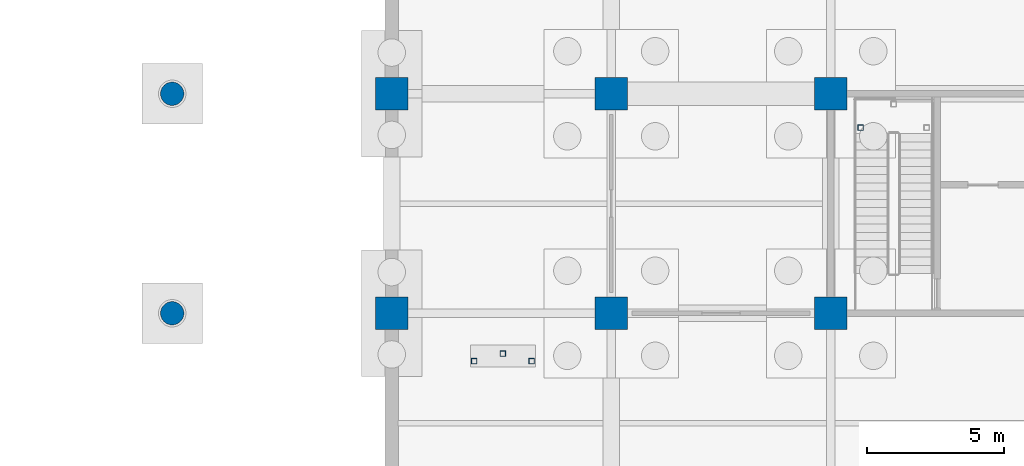
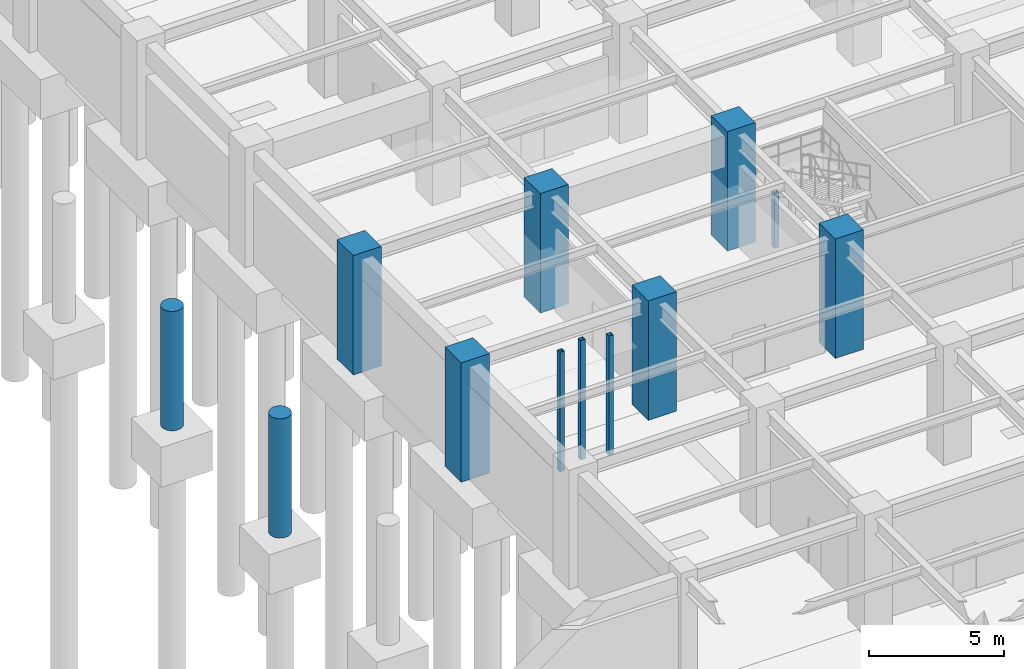
# One storey, part 43 of 97: 12 columns.
"""IFC4 building model written with IfcOpenShell, lengths in metres."""

import ifcopenshell
import ifcopenshell.guid

model = None  # the IFC model being written
_history = None  # IfcOwnerHistory: only IFC2X3 demands one
_inside = {}  # id of a spatial element -> (the spatial element, [elements in it])
_under = {}  # id of a project, library or spatial element -> (it, [spatial elements below it])
_declared = {}  # id of a project -> (the project, [libraries it declares])
_typed = {}  # id of a type object -> (the type object, [elements of that type])
_made_of = {}  # id of a material, layer set ... -> (it, [elements and type objects made of it])


def new_model(schema):
    """Start an empty IFC model of exactly this schema.

    Asked for "IFC4X3", IfcOpenShell would pick the latest addendum, in which some entities
    have other attributes; the version numbers below select the first issue.
    IFC2X3 requires an IfcOwnerHistory on every rooted entity: one is made here for all.
    """
    global model, _history
    if schema == "IFC4X3":
        model = ifcopenshell.file(schema_version=(4, 3, 0, 0))
    else:
        model = ifcopenshell.file(schema=schema)
    _inside.clear()
    _under.clear()
    _declared.clear()
    _typed.clear()
    _made_of.clear()
    _history = None
    if model.schema == "IFC2X3":
        org = make("IfcOrganization", Name="unknown")
        user = make(
            "IfcPersonAndOrganization",
            ThePerson=make("IfcPerson", FamilyName="unknown"),
            TheOrganization=org,
        )
        app = make(
            "IfcApplication",
            ApplicationDeveloper=org,
            Version="unknown",
            ApplicationFullName="unknown",
            ApplicationIdentifier="unknown",
        )
        _history = make(
            "IfcOwnerHistory",
            OwningUser=user,
            OwningApplication=app,
            ChangeAction="ADDED",
            CreationDate=0,
        )
    return model


def make(cls, **values):
    """One entity of the class cls with the attributes given. An attribute that is None is left unset."""
    return model.create_entity(
        cls, **{name: value for name, value in values.items() if value is not None}
    )


def rooted(cls, **values):
    """An entity with a GlobalId (a new one), such as an element, a storey or a relation."""
    return make(cls, GlobalId=ifcopenshell.guid.new(), OwnerHistory=_history, **values)


def si_unit(unit_type, name, prefix=None):
    """IfcSIUnit, for example si_unit("LENGTHUNIT", "METRE", prefix="MILLI")."""
    return make("IfcSIUnit", UnitType=unit_type, Prefix=prefix, Name=name)


def assignment(units):
    """IfcUnitAssignment: the units of a project."""
    return None if units is None else make("IfcUnitAssignment", Units=units)


def point(xyz):
    """IfcCartesianPoint."""
    return None if xyz is None else make("IfcCartesianPoint", Coordinates=xyz)


def direction(xyz):
    """IfcDirection."""
    return None if xyz is None else make("IfcDirection", DirectionRatios=xyz)


def frame(location, z_axis=None, x_axis=None):
    """IfcAxis2Placement3D, a coordinate frame: its origin and axes. An axis left out is left unset."""
    return make(
        "IfcAxis2Placement3D",
        Location=point(location),
        Axis=direction(z_axis),
        RefDirection=direction(x_axis),
    )


def frame_2d(location, x_axis=None):
    """IfcAxis2Placement2D, a coordinate frame in the plane: its origin and x axis."""
    return make(
        "IfcAxis2Placement2D", Location=point(location), RefDirection=direction(x_axis)
    )


def origin():
    """The frame at (0, 0, 0) with its axes left unset."""
    return frame((0.0, 0.0, 0.0))


def origin_2d():
    """The frame at (0, 0) in the plane with its x axis left unset."""
    return frame_2d((0.0, 0.0))


def place(relative_to, where):
    """IfcLocalPlacement: puts the frame where relative to a parent placement (None: the world)."""
    return make(
        "IfcLocalPlacement", PlacementRelTo=relative_to, RelativePlacement=where
    )


def context(
    kind, dimensions, precision=None, world=None, true_north=None, identifier=None
):
    """IfcGeometricRepresentationContext, for example the 3D "Model" context."""
    return make(
        "IfcGeometricRepresentationContext",
        ContextIdentifier=identifier,
        ContextType=kind,
        CoordinateSpaceDimension=dimensions,
        Precision=precision,
        WorldCoordinateSystem=world,
        TrueNorth=true_north,
    )


def subcontext(parent, identifier, kind, view, scale=None):
    """IfcGeometricRepresentationSubContext, for example "Body" below "Model"."""
    return make(
        "IfcGeometricRepresentationSubContext",
        ContextIdentifier=identifier,
        ContextType=kind,
        ParentContext=parent,
        TargetScale=scale,
        TargetView=view,
    )


def project(units=None, contexts=None):
    """IfcProject with its units and contexts."""
    return rooted(
        "IfcProject",
        Name="project",
        RepresentationContexts=contexts,
        UnitsInContext=assignment(units),
    )


def spatial(cls, under=None, at=None, **own):
    """A site, building, storey or space (cls), placed at a placement, below another one or the project."""
    s = rooted(cls, ObjectPlacement=at, **own)
    if under is not None:
        _under.setdefault(under.id(), (under, []))[1].append(s)
    return s


def profile(cls, at=None, kind="AREA", **sizes):
    """A parametric profile (cls). Its sizes go by their IFC names, for example OverallWidth=200.0."""
    return make(cls, ProfileType=kind, Position=at, **sizes)


def rectangle(**sizes):
    """IfcRectangleProfileDef."""
    return profile("IfcRectangleProfileDef", **sizes)


def hollow_rectangle(**sizes):
    """IfcRectangleHollowProfileDef."""
    return profile("IfcRectangleHollowProfileDef", **sizes)


def circle(**sizes):
    """IfcCircleProfileDef."""
    return profile("IfcCircleProfileDef", **sizes)


def extrude(swept, where, along, depth):
    """IfcExtrudedAreaSolid: the profile swept, set in the frame where, extruded along a direction by depth."""
    return make(
        "IfcExtrudedAreaSolid",
        SweptArea=swept,
        Position=where,
        ExtrudedDirection=direction(along),
        Depth=depth,
    )


def shape(context_of_items, identifier, shape_type, items):
    """IfcShapeRepresentation: the items that make up one representation, for example the "Body"."""
    return make(
        "IfcShapeRepresentation",
        ContextOfItems=context_of_items,
        RepresentationIdentifier=identifier,
        RepresentationType=shape_type,
        Items=items,
    )


def material(Name=None, Category=None):
    """IfcMaterial."""
    return make("IfcMaterial", Name=Name, Category=Category)


def material_profile(
    of_material, cross_section, Name=None, Category=None, Priority=None
):
    """IfcMaterialProfile: a cross section and its material."""
    return make(
        "IfcMaterialProfile",
        Name=Name,
        Material=of_material,
        Profile=cross_section,
        Priority=Priority,
        Category=Category,
    )


def profile_set(profiles, Name=None, composite=None):
    """IfcMaterialProfileSet."""
    return make(
        "IfcMaterialProfileSet",
        Name=Name,
        MaterialProfiles=profiles,
        CompositeProfile=composite,
    )


def made_of(thing, what):
    """Note that an element or type object is made of a material, layer set ...; save() writes the relation."""
    if what is not None:
        _made_of.setdefault(what.id(), (what, []))[1].append(thing)
    return thing


def type_object(cls, material=None, **own):
    """A type object (cls), such as IfcWallType, which elements share."""
    return made_of(rooted(cls, **own), material)


def element(
    cls,
    number,
    at=None,
    inside=None,
    cuts=None,
    type_object=None,
    material=None,
    context=None,
    identifier="Body",
    shape_type=None,
    held_by="IfcProductDefinitionShape",
    body=None,
    shapes=None,
    **own,
):
    """One element of the class cls, such as IfcWall. Its Tag is "e" and its number.

    at: its placement. inside: the storey or other place that contains it. cuts: it is an
    opening in that element (IfcRelVoidsElement). A single representation is given by context,
    identifier, shape_type and body (its items); several are given by shapes. held_by: the class
    of the entity that holds the representations. save() writes the other relations.
    """
    e = rooted(cls, Tag="e%d" % number, ObjectPlacement=at, **own)
    if body is not None:
        shapes = [shape(context, identifier, shape_type, body)]
    if shapes is not None:
        e.Representation = make(held_by, Representations=shapes)
    if inside is not None:
        _inside.setdefault(inside.id(), (inside, []))[1].append(e)
    if cuts is not None:
        rooted(
            "IfcRelVoidsElement", RelatingBuildingElement=cuts, RelatedOpeningElement=e
        )
    if type_object is not None:
        _typed.setdefault(type_object.id(), (type_object, []))[1].append(e)
    return made_of(e, material)


def aggregate(whole, parts):
    """IfcRelAggregates: a whole, such as a stair, and the parts it consists of."""
    return rooted("IfcRelAggregates", RelatingObject=whole, RelatedObjects=parts)


def save(model, path):
    """Write the relations noted so far, then the file.

    IfcRelAggregates (storeys below a building ...), IfcRelContainedInSpatialStructure (elements
    in a storey), IfcRelDefinesByType, IfcRelAssociatesMaterial and IfcRelDeclares: one each for
    every whole, place, type object, material and project.
    """
    for whole, parts in _under.values():
        aggregate(whole, parts)
    for where, things in _inside.values():
        rooted(
            "IfcRelContainedInSpatialStructure",
            RelatedElements=things,
            RelatingStructure=where,
        )
    for kind, things in _typed.values():
        rooted("IfcRelDefinesByType", RelatedObjects=things, RelatingType=kind)
    for what, things in _made_of.values():
        rooted("IfcRelAssociatesMaterial", RelatedObjects=things, RelatingMaterial=what)
    for by, libraries in _declared.values():
        rooted("IfcRelDeclares", RelatingContext=by, RelatedDefinitions=libraries)
    model.write(path)


model = new_model("IFC4")

# Units and contexts
model_context = context("Model", 3, precision=1e-05, world=origin(), true_north=direction((0.0, 1.0)))
body_context = subcontext(model_context, "Body", "Model", "MODEL_VIEW")
ifc_project = project(units=[si_unit("LENGTHUNIT", "METRE"), si_unit("AREAUNIT", "SQUARE_METRE"), si_unit("VOLUMEUNIT", "CUBIC_METRE"), si_unit("PLANEANGLEUNIT", "RADIAN"), si_unit("MASSUNIT", "GRAM", prefix="KILO")], contexts=[model_context])

# Site, building, storey
site_placement = place(None, origin())
site = spatial("IfcSite", under=ifc_project, at=site_placement, CompositionType="ELEMENT")
building_placement = place(site_placement, origin())
building = spatial("IfcBuilding", under=site, at=building_placement, Name="Haebicheon Civic Stadium", CompositionType="ELEMENT")
storey_placement = place(building_placement, frame((0.0, 0.0, -5.39990234375)))
storey = spatial("IfcBuildingStorey", under=building, at=storey_placement, Name="B1", CompositionType="ELEMENT", Elevation=-5.39990234375)

# Columns
ifc_material_1 = material(Name="Concrete C40/50", Category="concrete")
ifc_material_profile_1 = material_profile(ifc_material_1, rectangle(XDim=1.199951171875, YDim=1.199951171875, at=origin_2d()), Name="RC-COL-1200x1200")
ifc_profile_set_1 = profile_set([ifc_material_profile_1], Name="Concrete C40/50")
column_type_1 = type_object("IfcColumnType", Name="COL-RC-1200", PredefinedType="COLUMN", material=ifc_profile_set_1)
for number, where, z_axis, x_axis, name in (
    (1, (200.0, 64.0, 0.0), (0.0, 0.0, 1.0), (1.0, 0.0, 0.0), "B1 column 26/J"),
    (2, (200.0, 72.0, 0.0), (0.0, 0.0, 1.0), (1.0, 0.0, 0.0), "B1 column 26/K"),
    (3, (208.0, 64.0, 0.0), (0.0, 0.0, 1.0), (1.0, 0.0, 0.0), "B1 column 27/J"),
    (4, (208.0, 72.0, 0.0), (0.0, 0.0, 1.0), (1.0, 0.0, 0.0), "B1 column 27/K"),
    (5, (216.0, 64.0, 0.0), (0.0, 0.0, 1.0), (1.0, 0.0, 0.0), "B1 column 28/J"),
    (6, (216.0, 72.0, 0.0), (0.0, 0.0, 1.0), (1.0, 0.0, 0.0), "B1 column 28/K"),
):
    element("IfcColumn", number, at=place(storey_placement, frame(where, z_axis=z_axis, x_axis=x_axis)), inside=storey, type_object=column_type_1, material=ifc_profile_set_1, Name=name, PredefinedType="COLUMN", context=body_context, shape_type="SweptSolid", body=[
        extrude(rectangle(XDim=1.199951171875, YDim=1.199951171875, at=origin_2d()), origin(), (0.0, 0.0, 1.0), 5.39990234375),
    ])
ifc_material_2 = material(Name="Concrete C40/50", Category="concrete")
ifc_material_profile_2 = material_profile(ifc_material_2, circle(Radius=0.425048828125, at=origin_2d()), Name="RC-COL-D850")
ifc_profile_set_2 = profile_set([ifc_material_profile_2], Name="Concrete C40/50")
column_type_2 = type_object("IfcColumnType", Name="COL-RC-D850", PredefinedType="COLUMN", material=ifc_profile_set_2)
for number, where, z_axis, x_axis, name in (
    (7, (192.0, 64.0, 0.0), (0.0, 0.0, 1.0), (1.0, 0.0, 0.0), "Bowl/canopy support column 192/64 (B1)"),
    (8, (192.0, 72.0, 0.0), (0.0, 0.0, 1.0), (1.0, 0.0, 0.0), "Bowl/canopy support column 192/72 (B1)"),
):
    element("IfcColumn", number, at=place(storey_placement, frame(where, z_axis=z_axis, x_axis=x_axis)), inside=storey, type_object=column_type_2, material=ifc_profile_set_2, Name=name, PredefinedType="COLUMN", context=body_context, shape_type="SweptSolid", body=[
        extrude(circle(Radius=0.425048828125, at=origin_2d()), origin(), (0.0, 0.0, 1.0), 5.39990234375),
    ])
ifc_material_3 = material(Name="Steel SM355 (S355)", Category="steel")
ifc_material_profile_3 = material_profile(ifc_material_3, hollow_rectangle(XDim=0.199951171875, YDim=0.199951171875, WallThickness=0.009033203125, at=origin_2d()), Name="RHS-200x200x9.0")
ifc_profile_set_3 = profile_set([ifc_material_profile_3], Name="Steel SM355 (S355)")
column_type_3 = type_object("IfcColumnType", Name="COL-ST-RHS200", PredefinedType="COLUMN", material=ifc_profile_set_3)
column_placement = place(storey_placement, frame((217.090087890625, 70.77001953125, 0.0), z_axis=(0.0, 0.0, 1.0), x_axis=(1.0, 0.0, 0.0)))
element("IfcColumn", 9, at=column_placement, inside=storey, type_object=column_type_3, material=ifc_profile_set_3, Name="KC-12 B1 stair half-landing support post A", PredefinedType="COLUMN", context=body_context, shape_type="SweptSolid", body=[
    extrude(hollow_rectangle(XDim=0.199951171875, YDim=0.199951171875, WallThickness=0.009033203125, at=origin_2d()), origin(), (0.0, 0.0, 1.0), 2.5),
])
for number, where, z_axis, x_axis, name in (
    (10, (203.0, 62.260009765625, 0.0), (0.0, 0.0, 1.0), (1.0, 0.0, 0.0), "VM-11 B1 vomitory landing support post A"),
    (11, (205.10009765625, 62.260009765625, 0.0), (0.0, 0.0, 1.0), (1.0, 0.0, 0.0), "VM-11 B1 vomitory landing support post B"),
    (12, (204.050048828125, 62.530029296875, 0.0), (0.0, 0.0, 1.0), (1.0, 0.0, 0.0), "VM-11 B1 vomitory landing support post C"),
):
    element("IfcColumn", number, at=place(storey_placement, frame(where, z_axis=z_axis, x_axis=x_axis)), inside=storey, type_object=column_type_3, material=ifc_profile_set_3, Name=name, PredefinedType="COLUMN", context=body_context, shape_type="SweptSolid", body=[
        extrude(hollow_rectangle(XDim=0.199951171875, YDim=0.199951171875, WallThickness=0.009033203125, at=origin_2d()), origin(), (0.0, 0.0, 1.0), 5.39990234375),
    ])

save(model, "model.ifc")
